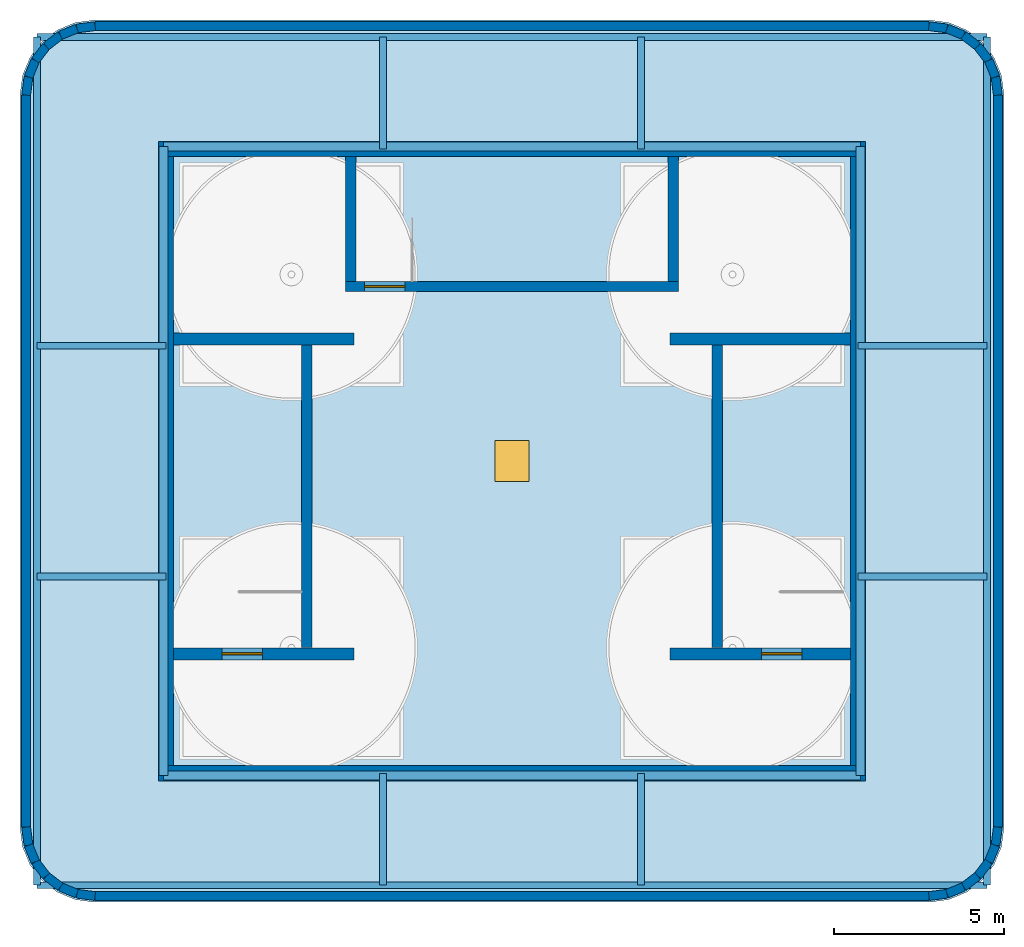
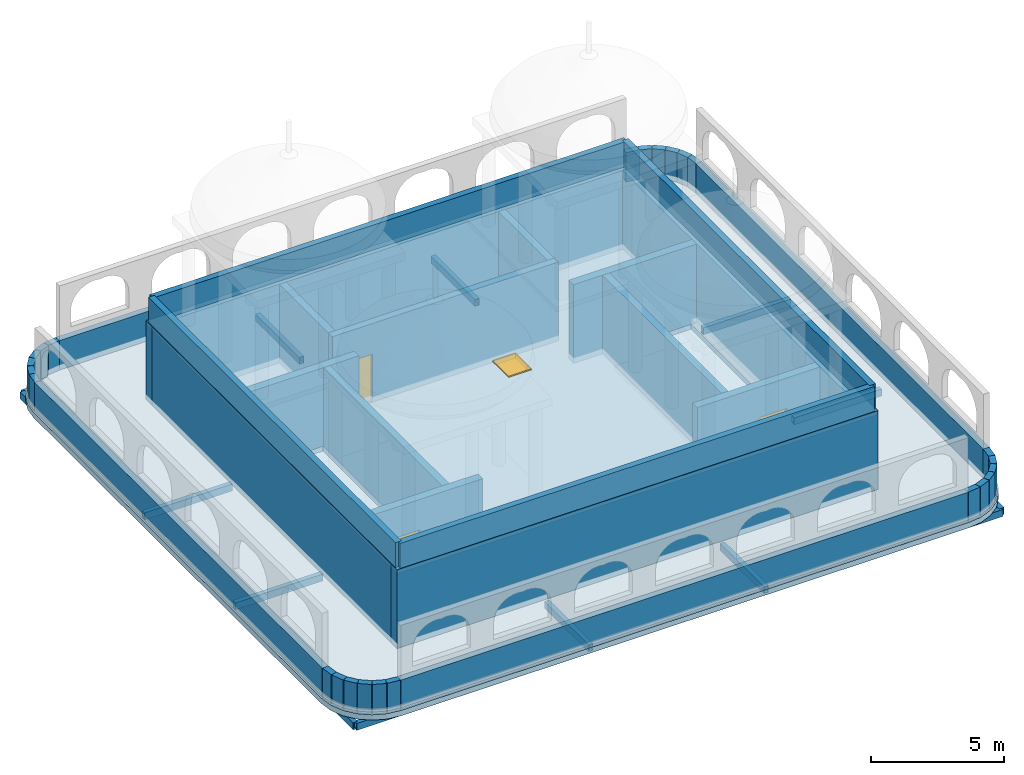
# One storey, part 1 of 3: 45 walls, 12 beams, 4 doors, 2 slabs, 4 openings.
"""IFC4 building model written with IfcOpenShell, lengths in metres."""

from ifc_helpers import new_model, si_unit, direction, frame, frame_2d, origin, origin_2d, place, context, subcontext, project, spatial, polyline, rectangle, hollow_rectangle, outline, extrude, material, layer, layer_set, material_profile, profile_set, type_object, element, fill, save


model = new_model("IFC4")

# Units and contexts
model_context = context("Model", 3, precision=1e-05, world=origin(), true_north=direction((0.0, 1.0)))
body_context = subcontext(model_context, "Body", "Model", "MODEL_VIEW")
ifc_project = project(units=[si_unit("LENGTHUNIT", "METRE"), si_unit("AREAUNIT", "SQUARE_METRE"), si_unit("VOLUMEUNIT", "CUBIC_METRE"), si_unit("PLANEANGLEUNIT", "RADIAN"), si_unit("MASSUNIT", "GRAM", prefix="KILO")], contexts=[model_context])

# Site, building, storey
site_placement = place(None, origin())
site = spatial("IfcSite", under=ifc_project, at=site_placement, CompositionType="ELEMENT")
building_placement = place(site_placement, origin())
building = spatial("IfcBuilding", under=site, at=building_placement, Name="Punatoya Terracotta Tower", CompositionType="ELEMENT")
storey_placement = place(building_placement, frame((0.0, 0.0, 370.800048828125)))
storey = spatial("IfcBuildingStorey", under=building, at=storey_placement, Name="RF", CompositionType="ELEMENT", Elevation=370.800048828125)

# Beams
ifc_material_1 = material(Name="Steel S355", Category="steel")
ifc_material_profile = material_profile(ifc_material_1, hollow_rectangle(XDim=0.199951171875, YDim=0.320068359375, WallThickness=0.01611328125, at=origin_2d()))
ifc_profile_set = profile_set([ifc_material_profile], Name="Steel S355")
beam_type = type_object("IfcBeamType", Name="BM-CRN-320", PredefinedType="BEAM", material=ifc_profile_set)
for number, where, z_axis, x_axis, name in (
    (1, (-3.800048828125, -12.5, -0.41015625), (0.0, 1.0, 0.0), (-1.0, 0.0, 0.0), "BM-RF-CS1"),
    (2, (3.800048828125, -12.5, -0.41015625), (0.0, 1.0, 0.0), (-1.0, 0.0, 0.0), "BM-RF-CS2"),
    (3, (-3.800048828125, 9.199951171875, -0.41015625), (0.0, 1.0, 0.0), (-1.0, 0.0, 0.0), "BM-RF-CN1"),
    (4, (3.800048828125, 9.199951171875, -0.41015625), (0.0, 1.0, 0.0), (-1.0, 0.0, 0.0), "BM-RF-CN2"),
):
    element("IfcBeam", number, at=place(storey_placement, frame(where, z_axis=z_axis, x_axis=x_axis)), inside=storey, type_object=beam_type, Name=name, PredefinedType="BEAM", context=body_context, shape_type="SweptSolid", body=[
        extrude(hollow_rectangle(XDim=0.199951171875, YDim=0.320068359375, WallThickness=0.01611328125, at=origin_2d()), origin(), (0.0, 0.0, 1.0), 3.300048828125),
    ])
for number, where, z_axis, x_axis, name in (
    (5, (-14.0, -3.39990234375, -0.41015625), (1.0, 0.0, 0.0), (0.0, 1.0, 0.0), "BM-RF-CW1"),
    (6, (-14.0, 3.39990234375, -0.41015625), (1.0, 0.0, 0.0), (0.0, 1.0, 0.0), "BM-RF-CW2"),
    (7, (10.199951171875, -3.39990234375, -0.41015625), (1.0, 0.0, 0.0), (0.0, 1.0, 0.0), "BM-RF-CE1"),
    (8, (10.199951171875, 3.39990234375, -0.41015625), (1.0, 0.0, 0.0), (0.0, 1.0, 0.0), "BM-RF-CE2"),
):
    element("IfcBeam", number, at=place(storey_placement, frame(where, z_axis=z_axis, x_axis=x_axis)), inside=storey, type_object=beam_type, Name=name, PredefinedType="BEAM", context=body_context, shape_type="SweptSolid", body=[
        extrude(hollow_rectangle(XDim=0.199951171875, YDim=0.320068359375, WallThickness=0.01611328125, at=origin_2d()), origin(), (0.0, 0.0, 1.0), 3.800048828125),
    ])
for number, where, z_axis, x_axis, name in (
    (9, (-14.0, -12.5, -0.41015625), (1.0, 0.0, 0.0), (0.0, 1.0, 0.0), "BM-RF-RS"),
    (10, (-14.0, 12.5, -0.41015625), (1.0, 0.0, 0.0), (0.0, 1.0, 0.0), "BM-RF-RN"),
):
    element("IfcBeam", number, at=place(storey_placement, frame(where, z_axis=z_axis, x_axis=x_axis)), inside=storey, type_object=beam_type, Name=name, PredefinedType="BEAM", context=body_context, shape_type="SweptSolid", body=[
        extrude(hollow_rectangle(XDim=0.199951171875, YDim=0.320068359375, WallThickness=0.01611328125, at=origin_2d()), origin(), (0.0, 0.0, 1.0), 28.0),
    ])
for number, where, z_axis, x_axis, name in (
    (11, (-14.0, -12.5, -0.41015625), (0.0, 1.0, 0.0), (-1.0, 0.0, 0.0), "BM-RF-RW"),
    (12, (14.0, -12.5, -0.41015625), (0.0, 1.0, 0.0), (-1.0, 0.0, 0.0), "BM-RF-RE"),
):
    element("IfcBeam", number, at=place(storey_placement, frame(where, z_axis=z_axis, x_axis=x_axis)), inside=storey, type_object=beam_type, Name=name, PredefinedType="BEAM", context=body_context, shape_type="SweptSolid", body=[
        extrude(hollow_rectangle(XDim=0.199951171875, YDim=0.320068359375, WallThickness=0.01611328125, at=origin_2d()), origin(), (0.0, 0.0, 1.0), 25.0),
    ])

# Slab, opening, door
ifc_material_2 = material(Name="Concrete C40/50", Category="concrete")
ifc_layer_1 = layer(ifc_material_2, 0.199951171875)
ifc_layer_set_1 = layer_set([ifc_layer_1], Name="Concrete C40/50")
slab_type_1 = type_object("IfcSlabType", Name="SLB-OFF-200", PredefinedType="FLOOR", material=ifc_layer_set_1)
slab_1_placement = place(storey_placement, frame((0.0, 0.0, 3.39990234375)))
slab_1 = element("IfcSlab", 13, at=slab_1_placement, inside=storey, type_object=slab_type_1, Name="RF Lift and Stair Overrun Bulkhead Cap Slab", PredefinedType="FLOOR", context=body_context, shape_type="SweptSolid", body=[
    extrude(outline(polyline([(-10.39990234375, 9.39990234375), (-10.39990234375, -9.39990234375), (10.39990234375, -9.39990234375), (10.39990234375, 9.39990234375), (-10.39990234375, 9.39990234375)]), holes=[polyline([(0.5, 0.60009765625), (0.5, -0.60009765625), (-0.5, -0.60009765625), (-0.5, 0.60009765625), (0.5, 0.60009765625)])]), origin(), (0.0, 0.0, 1.0), 0.199951171875),
])
opening_1_placement = place(slab_1_placement, origin())
opening_1 = element("IfcOpeningElement", 14, at=opening_1_placement, cuts=slab_1, Name="Opening RHT-1", PredefinedType="OPENING", context=body_context, shape_type="SweptSolid", body=[
    extrude(rectangle(XDim=1.0, YDim=1.199951171875, at=origin_2d()), frame((0.0, 0.0, -0.010009765625)), (0.0, 0.0, 1.0), 0.27001953125),
])
ifc_material_3 = material(Name="Insulated Aluminium Roof Hatch", Category="aluminium")
door_type_1 = type_object("IfcDoorType", Name="DR-HTCH-1000", OperationType="NOTDEFINED", PredefinedType="TRAPDOOR", material=ifc_material_3)
door_1_placement = place(opening_1_placement, frame((0.0, 0.0, 0.199951171875)))
door_1 = element("IfcDoor", 15, at=door_1_placement, inside=storey, type_object=door_type_1, Name="RF Headhouse Maintenance Roof Access Hatch", OperationType="SINGLE_SWING_LEFT", OverallHeight=1.199951171875, OverallWidth=1.0, PredefinedType="TRAPDOOR", context=body_context, shape_type="SweptSolid", body=[
    extrude(rectangle(XDim=1.0, YDim=1.199951171875, at=origin_2d()), origin(), (0.0, 0.0, 1.0), 0.050048828125),
])
fill(opening_1, door_1)

# Slab
ifc_layer_2 = layer(ifc_material_2, 0.25)
ifc_layer_set_2 = layer_set([ifc_layer_2], Name="Concrete C40/50")
slab_type_2 = type_object("IfcSlabType", Name="SLB-ROF-250", PredefinedType="ROOF", material=ifc_layer_set_2)
slab_2_placement = place(storey_placement, frame((0.0, 0.0, -0.25)))
element("IfcSlab", 16, at=slab_2_placement, inside=storey, type_object=slab_type_2, Name="RF Enclosed Baradari Crown Main Roof Slab", PredefinedType="ROOF", context=body_context, shape_type="SweptSolid", body=[
    extrude(outline(polyline([(-12.300048828125, -13.0), (-12.869384765625, -12.925048828125), (-13.39990234375, -12.705322265625), (-13.855712890625, -12.355712890625), (-14.205322265625, -11.89990234375), (-14.425048828125, -11.369384765625), (-14.5, -10.800048828125), (-14.5, 10.800048828125), (-14.425048828125, 11.369384765625), (-14.205322265625, 11.89990234375), (-13.855712890625, 12.355712890625), (-13.39990234375, 12.705322265625), (-12.869384765625, 12.925048828125), (-12.300048828125, 13.0), (12.300048828125, 13.0), (12.869384765625, 12.925048828125), (13.39990234375, 12.705322265625), (13.855712890625, 12.355712890625), (14.205322265625, 11.89990234375), (14.425048828125, 11.369384765625), (14.5, 10.800048828125), (14.5, -10.800048828125), (14.425048828125, -11.369384765625), (14.205322265625, -11.89990234375), (13.855712890625, -12.355712890625), (13.39990234375, -12.705322265625), (12.869384765625, -12.925048828125), (12.300048828125, -13.0), (-12.300048828125, -13.0)]), holes=[polyline([(-4.469970703125, -6.179931640625), (-4.469970703125, -8.820068359375), (-2.6298828125, -8.820068359375), (-2.6298828125, -6.179931640625), (-4.469970703125, -6.179931640625)]), polyline([(2.6298828125, -6.179931640625), (2.6298828125, -8.820068359375), (4.469970703125, -8.820068359375), (4.469970703125, -6.179931640625), (2.6298828125, -6.179931640625)]), polyline([(-9.75, -3.79931640625), (-6.199951171875, -3.79931640625), (-6.199951171875, 3.449951171875), (-9.75, 3.449951171875), (-9.75, -3.79931640625)]), polyline([(6.199951171875, 3.449951171875), (6.199951171875, -3.79931640625), (9.75, -3.79931640625), (9.75, 3.449951171875), (6.199951171875, 3.449951171875)]), polyline([(4.60009765625, 8.85009765625), (-2.899169921875, 8.85009765625), (-2.899169921875, 5.300048828125), (4.60009765625, 5.300048828125), (4.60009765625, 8.85009765625)])]), origin(), (0.0, 0.0, 1.0), 0.25),
])

# Walls
ifc_material_4 = material(Name="Concrete C50/60", Category="concrete")
ifc_layer_3 = layer(ifc_material_4, 0.449951171875)
ifc_layer_set_3 = layer_set([ifc_layer_3], Name="Concrete C50/60")
wall_type_1 = type_object("IfcWallType", Name="WL-COR-450", PredefinedType="SHEAR", material=ifc_layer_set_3)
wall_1_placement = place(storey_placement, frame((10.425048828125, -9.199951171875, 0.0), z_axis=(0.0, 0.0, 1.0), x_axis=(-1.0, 0.0, 0.0)))
element("IfcWall", 17, at=wall_1_placement, inside=storey, type_object=wall_type_1, Name="RF Core Shear Wall S", PredefinedType="SHEAR", context=body_context, shape_type="SweptSolid", body=[
    extrude(rectangle(XDim=20.85009765625, YDim=0.449951171875, at=frame_2d((10.425048828125, 0.0))), origin(), (0.0, 0.0, 1.0), 3.599853515625),
])
wall_2_placement = place(storey_placement, frame((-10.199951171875, -8.97509765625, 0.0), z_axis=(0.0, 0.0, 1.0), x_axis=(0.0, 1.0, 0.0)))
element("IfcWall", 18, at=wall_2_placement, inside=storey, type_object=wall_type_1, Name="RF Core Shear Wall W", PredefinedType="SHEAR", context=body_context, shape_type="SweptSolid", body=[
    extrude(rectangle(XDim=17.9501953125, YDim=0.449951171875, at=frame_2d((8.97509765625, 0.0))), origin(), (0.0, 0.0, 1.0), 3.599853515625),
])
wall_3_placement = place(storey_placement, frame((-10.425048828125, 9.199951171875, 0.0), z_axis=(0.0, 0.0, 1.0), x_axis=(1.0, 0.0, 0.0)))
element("IfcWall", 19, at=wall_3_placement, inside=storey, type_object=wall_type_1, Name="RF Core Shear Wall N", PredefinedType="SHEAR", context=body_context, shape_type="SweptSolid", body=[
    extrude(rectangle(XDim=20.85009765625, YDim=0.449951171875, at=frame_2d((10.425048828125, 0.0))), origin(), (0.0, 0.0, 1.0), 3.599853515625),
])
wall_4_placement = place(storey_placement, frame((10.199951171875, 8.97509765625, 0.0), z_axis=(0.0, 0.0, 1.0), x_axis=(0.0, -1.0, 0.0)))
element("IfcWall", 20, at=wall_4_placement, inside=storey, type_object=wall_type_1, Name="RF Core Shear Wall E", PredefinedType="SHEAR", context=body_context, shape_type="SweptSolid", body=[
    extrude(rectangle(XDim=17.9501953125, YDim=0.449951171875, at=frame_2d((8.97509765625, 0.0))), origin(), (0.0, 0.0, 1.0), 3.599853515625),
])
ifc_material_5 = material(Name="Precast concrete C40/50", Category="concrete")
ifc_layer_4 = layer(ifc_material_5, 0.260009765625)
ifc_layer_set_4 = layer_set([ifc_layer_4], Name="Precast concrete C40/50")
wall_type_2 = type_object("IfcWallType", Name="WL-PAR-260", PredefinedType="PARAPET", material=ifc_layer_set_4)
wall_5_placement = place(storey_placement, frame((12.2880859375, -12.820068359375, 0.0), z_axis=(0.0, 0.0, 1.0), x_axis=(0.991397164416, 0.130887976481, 0.0)))
element("IfcWall", 21, at=wall_5_placement, inside=storey, type_object=wall_type_2, Name="RF Roof Parapet Wall PAR-RF-MAIN-01", PredefinedType="PARAPET", context=body_context, shape_type="SweptSolid", body=[
    extrude(rectangle(XDim=0.5390625, YDim=0.260009765625, at=frame_2d((0.26953125, 0.0))), origin(), (0.0, 0.0, 1.0), 1.349853515625),
])
wall_6_placement = place(storey_placement, frame((12.822509765625, -12.74951171875, 0.0), z_axis=(0.0, 0.0, 1.0), x_axis=(0.923965992371, 0.382474633069, 0.0)))
element("IfcWall", 22, at=wall_6_placement, inside=storey, type_object=wall_type_2, Name="RF Roof Parapet Wall PAR-RF-MAIN-02", PredefinedType="PARAPET", context=body_context, shape_type="SweptSolid", body=[
    extrude(rectangle(XDim=0.526611328125, YDim=0.260009765625, at=frame_2d((0.26318359375, 0.0))), origin(), (0.0, 0.0, 1.0), 1.349853515625),
])
for number, where, z_axis, x_axis, name in (
    (23, (13.30908203125, -12.548095703125, 0.0), (0.0, 0.0, 1.0), (0.7934497764, 0.608635730409, 0.0), "RF Roof Parapet Wall PAR-RF-MAIN-03"),
    (24, (13.727294921875, -12.227294921875, 0.0), (0.0, 0.0, 1.0), (0.608635730409, 0.7934497764, 0.0), "RF Roof Parapet Wall PAR-RF-MAIN-04"),
):
    element("IfcWall", number, at=place(storey_placement, frame(where, z_axis=z_axis, x_axis=x_axis)), inside=storey, type_object=wall_type_2, Name=name, PredefinedType="PARAPET", context=body_context, shape_type="SweptSolid", body=[
        extrude(rectangle(XDim=0.527099609375, YDim=0.260009765625, at=frame_2d((0.263671875, 0.0))), origin(), (0.0, 0.0, 1.0), 1.349853515625),
    ])
wall_7_placement = place(storey_placement, frame((14.048095703125, -11.80908203125, 0.0), z_axis=(0.0, 0.0, 1.0), x_axis=(0.382474633069, 0.923965992371, 0.0)))
element("IfcWall", 25, at=wall_7_placement, inside=storey, type_object=wall_type_2, Name="RF Roof Parapet Wall PAR-RF-MAIN-05", PredefinedType="PARAPET", context=body_context, shape_type="SweptSolid", body=[
    extrude(rectangle(XDim=0.526611328125, YDim=0.260009765625, at=frame_2d((0.26318359375, 0.0))), origin(), (0.0, 0.0, 1.0), 1.349853515625),
])
wall_8_placement = place(storey_placement, frame((14.24951171875, -11.322509765625, 0.0), z_axis=(0.0, 0.0, 1.0), x_axis=(0.130887976481, 0.991397164416, 0.0)))
element("IfcWall", 26, at=wall_8_placement, inside=storey, type_object=wall_type_2, Name="RF Roof Parapet Wall PAR-RF-MAIN-06", PredefinedType="PARAPET", context=body_context, shape_type="SweptSolid", body=[
    extrude(rectangle(XDim=0.5390625, YDim=0.260009765625, at=frame_2d((0.26953125, 0.0))), origin(), (0.0, 0.0, 1.0), 1.349853515625),
])
wall_9_placement = place(storey_placement, frame((14.320068359375, -10.7880859375, 0.0), z_axis=(0.0, 0.0, 1.0), x_axis=(0.0, 1.0, 0.0)))
element("IfcWall", 27, at=wall_9_placement, inside=storey, type_object=wall_type_2, Name="RF Roof Parapet Wall PAR-RF-MAIN-07", PredefinedType="PARAPET", context=body_context, shape_type="SweptSolid", body=[
    extrude(rectangle(XDim=21.576171875, YDim=0.260009765625, at=frame_2d((10.7880859375, 0.0))), origin(), (0.0, 0.0, 1.0), 1.349853515625),
])
wall_10_placement = place(storey_placement, frame((14.320068359375, 10.7880859375, 0.0), z_axis=(0.0, 0.0, 1.0), x_axis=(-0.130887976481, 0.991397164416, 0.0)))
element("IfcWall", 28, at=wall_10_placement, inside=storey, type_object=wall_type_2, Name="RF Roof Parapet Wall PAR-RF-MAIN-08", PredefinedType="PARAPET", context=body_context, shape_type="SweptSolid", body=[
    extrude(rectangle(XDim=0.5390625, YDim=0.260009765625, at=frame_2d((0.26953125, 0.0))), origin(), (0.0, 0.0, 1.0), 1.349853515625),
])
wall_11_placement = place(storey_placement, frame((14.24951171875, 11.322509765625, 0.0), z_axis=(0.0, 0.0, 1.0), x_axis=(-0.382474633069, 0.923965992371, 0.0)))
element("IfcWall", 29, at=wall_11_placement, inside=storey, type_object=wall_type_2, Name="RF Roof Parapet Wall PAR-RF-MAIN-09", PredefinedType="PARAPET", context=body_context, shape_type="SweptSolid", body=[
    extrude(rectangle(XDim=0.526611328125, YDim=0.260009765625, at=frame_2d((0.26318359375, 0.0))), origin(), (0.0, 0.0, 1.0), 1.349853515625),
])
for number, where, z_axis, x_axis, name in (
    (30, (14.048095703125, 11.80908203125, 0.0), (0.0, 0.0, 1.0), (-0.608635730409, 0.7934497764, 0.0), "RF Roof Parapet Wall PAR-RF-MAIN-10"),
    (31, (13.727294921875, 12.227294921875, 0.0), (0.0, 0.0, 1.0), (-0.7934497764, 0.608635730409, 0.0), "RF Roof Parapet Wall PAR-RF-MAIN-11"),
):
    element("IfcWall", number, at=place(storey_placement, frame(where, z_axis=z_axis, x_axis=x_axis)), inside=storey, type_object=wall_type_2, Name=name, PredefinedType="PARAPET", context=body_context, shape_type="SweptSolid", body=[
        extrude(rectangle(XDim=0.527099609375, YDim=0.260009765625, at=frame_2d((0.263671875, 0.0))), origin(), (0.0, 0.0, 1.0), 1.349853515625),
    ])
wall_12_placement = place(storey_placement, frame((13.30908203125, 12.548095703125, 0.0), z_axis=(0.0, 0.0, 1.0), x_axis=(-0.923965992371, 0.382474633069, 0.0)))
element("IfcWall", 32, at=wall_12_placement, inside=storey, type_object=wall_type_2, Name="RF Roof Parapet Wall PAR-RF-MAIN-12", PredefinedType="PARAPET", context=body_context, shape_type="SweptSolid", body=[
    extrude(rectangle(XDim=0.526611328125, YDim=0.260009765625, at=frame_2d((0.26318359375, 0.0))), origin(), (0.0, 0.0, 1.0), 1.349853515625),
])
wall_13_placement = place(storey_placement, frame((12.822509765625, 12.74951171875, 0.0), z_axis=(0.0, 0.0, 1.0), x_axis=(-0.991397164416, 0.130887976481, 0.0)))
element("IfcWall", 33, at=wall_13_placement, inside=storey, type_object=wall_type_2, Name="RF Roof Parapet Wall PAR-RF-MAIN-13", PredefinedType="PARAPET", context=body_context, shape_type="SweptSolid", body=[
    extrude(rectangle(XDim=0.5390625, YDim=0.260009765625, at=frame_2d((0.26953125, 0.0))), origin(), (0.0, 0.0, 1.0), 1.349853515625),
])
wall_14_placement = place(storey_placement, frame((12.2880859375, 12.820068359375, 0.0), z_axis=(0.0, 0.0, 1.0), x_axis=(-1.0, 0.0, 0.0)))
element("IfcWall", 34, at=wall_14_placement, inside=storey, type_object=wall_type_2, Name="RF Roof Parapet Wall PAR-RF-MAIN-14", PredefinedType="PARAPET", context=body_context, shape_type="SweptSolid", body=[
    extrude(rectangle(XDim=24.576171875, YDim=0.260009765625, at=frame_2d((12.2880859375, 0.0))), origin(), (0.0, 0.0, 1.0), 1.349853515625),
])
wall_15_placement = place(storey_placement, frame((-12.2880859375, 12.820068359375, 0.0), z_axis=(0.0, 0.0, 1.0), x_axis=(-0.991397164416, -0.130887976481, 0.0)))
element("IfcWall", 35, at=wall_15_placement, inside=storey, type_object=wall_type_2, Name="RF Roof Parapet Wall PAR-RF-MAIN-15", PredefinedType="PARAPET", context=body_context, shape_type="SweptSolid", body=[
    extrude(rectangle(XDim=0.5390625, YDim=0.260009765625, at=frame_2d((0.26953125, 0.0))), origin(), (0.0, 0.0, 1.0), 1.349853515625),
])
wall_16_placement = place(storey_placement, frame((-12.822509765625, 12.74951171875, 0.0), z_axis=(0.0, 0.0, 1.0), x_axis=(-0.923965992371, -0.382474633069, 0.0)))
element("IfcWall", 36, at=wall_16_placement, inside=storey, type_object=wall_type_2, Name="RF Roof Parapet Wall PAR-RF-MAIN-16", PredefinedType="PARAPET", context=body_context, shape_type="SweptSolid", body=[
    extrude(rectangle(XDim=0.526611328125, YDim=0.260009765625, at=frame_2d((0.26318359375, 0.0))), origin(), (0.0, 0.0, 1.0), 1.349853515625),
])
for number, where, z_axis, x_axis, name in (
    (37, (-13.30908203125, 12.548095703125, 0.0), (0.0, 0.0, 1.0), (-0.7934497764, -0.608635730409, 0.0), "RF Roof Parapet Wall PAR-RF-MAIN-17"),
    (38, (-13.727294921875, 12.227294921875, 0.0), (0.0, 0.0, 1.0), (-0.608635730409, -0.7934497764, 0.0), "RF Roof Parapet Wall PAR-RF-MAIN-18"),
):
    element("IfcWall", number, at=place(storey_placement, frame(where, z_axis=z_axis, x_axis=x_axis)), inside=storey, type_object=wall_type_2, Name=name, PredefinedType="PARAPET", context=body_context, shape_type="SweptSolid", body=[
        extrude(rectangle(XDim=0.527099609375, YDim=0.260009765625, at=frame_2d((0.263671875, 0.0))), origin(), (0.0, 0.0, 1.0), 1.349853515625),
    ])
wall_17_placement = place(storey_placement, frame((-14.048095703125, 11.80908203125, 0.0), z_axis=(0.0, 0.0, 1.0), x_axis=(-0.382474633069, -0.923965992371, 0.0)))
element("IfcWall", 39, at=wall_17_placement, inside=storey, type_object=wall_type_2, Name="RF Roof Parapet Wall PAR-RF-MAIN-19", PredefinedType="PARAPET", context=body_context, shape_type="SweptSolid", body=[
    extrude(rectangle(XDim=0.526611328125, YDim=0.260009765625, at=frame_2d((0.26318359375, 0.0))), origin(), (0.0, 0.0, 1.0), 1.349853515625),
])
wall_18_placement = place(storey_placement, frame((-14.24951171875, 11.322509765625, 0.0), z_axis=(0.0, 0.0, 1.0), x_axis=(-0.130887976481, -0.991397164416, 0.0)))
element("IfcWall", 40, at=wall_18_placement, inside=storey, type_object=wall_type_2, Name="RF Roof Parapet Wall PAR-RF-MAIN-20", PredefinedType="PARAPET", context=body_context, shape_type="SweptSolid", body=[
    extrude(rectangle(XDim=0.5390625, YDim=0.260009765625, at=frame_2d((0.26953125, 0.0))), origin(), (0.0, 0.0, 1.0), 1.349853515625),
])
wall_19_placement = place(storey_placement, frame((-14.320068359375, 10.7880859375, 0.0), z_axis=(0.0, 0.0, 1.0), x_axis=(0.0, -1.0, 0.0)))
element("IfcWall", 41, at=wall_19_placement, inside=storey, type_object=wall_type_2, Name="RF Roof Parapet Wall PAR-RF-MAIN-21", PredefinedType="PARAPET", context=body_context, shape_type="SweptSolid", body=[
    extrude(rectangle(XDim=21.576171875, YDim=0.260009765625, at=frame_2d((10.7880859375, 0.0))), origin(), (0.0, 0.0, 1.0), 1.349853515625),
])
wall_20_placement = place(storey_placement, frame((-14.320068359375, -10.7880859375, 0.0), z_axis=(0.0, 0.0, 1.0), x_axis=(0.130887976481, -0.991397164416, 0.0)))
element("IfcWall", 42, at=wall_20_placement, inside=storey, type_object=wall_type_2, Name="RF Roof Parapet Wall PAR-RF-MAIN-22", PredefinedType="PARAPET", context=body_context, shape_type="SweptSolid", body=[
    extrude(rectangle(XDim=0.5390625, YDim=0.260009765625, at=frame_2d((0.26953125, 0.0))), origin(), (0.0, 0.0, 1.0), 1.349853515625),
])
wall_21_placement = place(storey_placement, frame((-14.24951171875, -11.322509765625, 0.0), z_axis=(0.0, 0.0, 1.0), x_axis=(0.382474633069, -0.923965992371, 0.0)))
element("IfcWall", 43, at=wall_21_placement, inside=storey, type_object=wall_type_2, Name="RF Roof Parapet Wall PAR-RF-MAIN-23", PredefinedType="PARAPET", context=body_context, shape_type="SweptSolid", body=[
    extrude(rectangle(XDim=0.526611328125, YDim=0.260009765625, at=frame_2d((0.26318359375, 0.0))), origin(), (0.0, 0.0, 1.0), 1.349853515625),
])
for number, where, z_axis, x_axis, name in (
    (44, (-14.048095703125, -11.80908203125, 0.0), (0.0, 0.0, 1.0), (0.608635730409, -0.7934497764, 0.0), "RF Roof Parapet Wall PAR-RF-MAIN-24"),
    (45, (-13.727294921875, -12.227294921875, 0.0), (0.0, 0.0, 1.0), (0.7934497764, -0.608635730409, 0.0), "RF Roof Parapet Wall PAR-RF-MAIN-25"),
):
    element("IfcWall", number, at=place(storey_placement, frame(where, z_axis=z_axis, x_axis=x_axis)), inside=storey, type_object=wall_type_2, Name=name, PredefinedType="PARAPET", context=body_context, shape_type="SweptSolid", body=[
        extrude(rectangle(XDim=0.527099609375, YDim=0.260009765625, at=frame_2d((0.263671875, 0.0))), origin(), (0.0, 0.0, 1.0), 1.349853515625),
    ])
wall_22_placement = place(storey_placement, frame((-13.30908203125, -12.548095703125, 0.0), z_axis=(0.0, 0.0, 1.0), x_axis=(0.923965992371, -0.382474633069, 0.0)))
element("IfcWall", 46, at=wall_22_placement, inside=storey, type_object=wall_type_2, Name="RF Roof Parapet Wall PAR-RF-MAIN-26", PredefinedType="PARAPET", context=body_context, shape_type="SweptSolid", body=[
    extrude(rectangle(XDim=0.526611328125, YDim=0.260009765625, at=frame_2d((0.26318359375, 0.0))), origin(), (0.0, 0.0, 1.0), 1.349853515625),
])
wall_23_placement = place(storey_placement, frame((-12.822509765625, -12.74951171875, 0.0), z_axis=(0.0, 0.0, 1.0), x_axis=(0.991397164416, -0.130887976481, 0.0)))
element("IfcWall", 47, at=wall_23_placement, inside=storey, type_object=wall_type_2, Name="RF Roof Parapet Wall PAR-RF-MAIN-27", PredefinedType="PARAPET", context=body_context, shape_type="SweptSolid", body=[
    extrude(rectangle(XDim=0.5390625, YDim=0.260009765625, at=frame_2d((0.26953125, 0.0))), origin(), (0.0, 0.0, 1.0), 1.349853515625),
])
wall_24_placement = place(storey_placement, frame((-12.2880859375, -12.820068359375, 0.0), z_axis=(0.0, 0.0, 1.0), x_axis=(1.0, 0.0, 0.0)))
element("IfcWall", 48, at=wall_24_placement, inside=storey, type_object=wall_type_2, Name="RF Roof Parapet Wall PAR-RF-MAIN-28", PredefinedType="PARAPET", context=body_context, shape_type="SweptSolid", body=[
    extrude(rectangle(XDim=24.576171875, YDim=0.260009765625, at=frame_2d((12.2880859375, 0.0))), origin(), (0.0, 0.0, 1.0), 1.349853515625),
])
wall_25_placement = place(storey_placement, frame((-10.27001953125, -9.27001953125, 3.599853515625), z_axis=(0.0, 0.0, 1.0), x_axis=(1.0, 0.0, 0.0)))
element("IfcWall", 49, at=wall_25_placement, inside=storey, type_object=wall_type_2, Name="RF Roof Parapet Wall PAR-RF-OVR-01", PredefinedType="PARAPET", context=body_context, shape_type="SweptSolid", body=[
    extrude(rectangle(XDim=20.5400390625, YDim=0.260009765625, at=frame_2d((10.27001953125, 0.0))), origin(), (0.0, 0.0, 1.0), 1.150146484375),
])
wall_26_placement = place(storey_placement, frame((10.27001953125, -9.27001953125, 3.599853515625), z_axis=(0.0, 0.0, 1.0), x_axis=(0.0, 1.0, 0.0)))
element("IfcWall", 50, at=wall_26_placement, inside=storey, type_object=wall_type_2, Name="RF Roof Parapet Wall PAR-RF-OVR-02", PredefinedType="PARAPET", context=body_context, shape_type="SweptSolid", body=[
    extrude(rectangle(XDim=18.5400390625, YDim=0.260009765625, at=frame_2d((9.27001953125, 0.0))), origin(), (0.0, 0.0, 1.0), 1.150146484375),
])
wall_27_placement = place(storey_placement, frame((10.27001953125, 9.27001953125, 3.599853515625), z_axis=(0.0, 0.0, 1.0), x_axis=(-1.0, 0.0, 0.0)))
element("IfcWall", 51, at=wall_27_placement, inside=storey, type_object=wall_type_2, Name="RF Roof Parapet Wall PAR-RF-OVR-03", PredefinedType="PARAPET", context=body_context, shape_type="SweptSolid", body=[
    extrude(rectangle(XDim=20.5400390625, YDim=0.260009765625, at=frame_2d((10.27001953125, 0.0))), origin(), (0.0, 0.0, 1.0), 1.150146484375),
])
wall_28_placement = place(storey_placement, frame((-10.27001953125, 9.27001953125, 3.599853515625), z_axis=(0.0, 0.0, 1.0), x_axis=(0.0, -1.0, 0.0)))
element("IfcWall", 52, at=wall_28_placement, inside=storey, type_object=wall_type_2, Name="RF Roof Parapet Wall PAR-RF-OVR-04", PredefinedType="PARAPET", context=body_context, shape_type="SweptSolid", body=[
    extrude(rectangle(XDim=18.5400390625, YDim=0.260009765625, at=frame_2d((9.27001953125, 0.0))), origin(), (0.0, 0.0, 1.0), 1.150146484375),
])
ifc_layer_5 = layer(ifc_material_2, 0.300048828125)
ifc_layer_set_5 = layer_set([ifc_layer_5], Name="Concrete C40/50")
wall_type_3 = type_object("IfcWallType", Name="WL-SHF-300", PredefinedType="SOLIDWALL", material=ifc_layer_set_5)
for number, where, z_axis, x_axis, name in (
    (53, (-6.050048828125, -5.5, 0.0), (0.0, 0.0, 1.0), (0.0, 1.0, 0.0), "RF Structural Stair Shaft Wall SW-ST1-E"),
    (54, (6.050048828125, 3.449951171875, 0.0), (0.0, 0.0, 1.0), (0.0, -1.0, 0.0), "RF Structural Stair Shaft Wall SW-ST2-W"),
):
    element("IfcWall", number, at=place(storey_placement, frame(where, z_axis=z_axis, x_axis=x_axis)), inside=storey, type_object=wall_type_3, Name=name, PredefinedType="SOLIDWALL", context=body_context, shape_type="SweptSolid", body=[
        extrude(rectangle(XDim=8.949951171875, YDim=0.300048828125, at=frame_2d((4.47509765625, 0.0))), origin(), (0.0, 0.0, 1.0), 3.599853515625),
    ])
for number, where, z_axis, x_axis, name in (
    (55, (-4.75, 5.300048828125, 0.0), (0.0, 0.0, 1.0), (0.0, 1.0, 0.0), "RF Structural Stair Shaft Wall SW-ST3-W"),
    (56, (4.75, 8.97509765625, 0.0), (0.0, 0.0, 1.0), (0.0, -1.0, 0.0), "RF Structural Stair Shaft Wall SW-ST3-E"),
):
    element("IfcWall", number, at=place(storey_placement, frame(where, z_axis=z_axis, x_axis=x_axis)), inside=storey, type_object=wall_type_3, Name=name, PredefinedType="SOLIDWALL", context=body_context, shape_type="SweptSolid", body=[
        extrude(rectangle(XDim=3.675048828125, YDim=0.300048828125, at=frame_2d((1.83740234375, 0.0))), origin(), (0.0, 0.0, 1.0), 3.599853515625),
    ])

# Wall, opening, door
wall_29_placement = place(storey_placement, frame((-4.89990234375, 5.14990234375, 0.0), z_axis=(0.0, 0.0, 1.0), x_axis=(1.0, 0.0, 0.0)))
wall_29 = element("IfcWall", 57, at=wall_29_placement, inside=storey, type_object=wall_type_3, Name="RF Structural Stair Shaft Wall SW-ST3-S", PredefinedType="SOLIDWALL", context=body_context, shape_type="SweptSolid", body=[
    extrude(rectangle(XDim=9.7998046875, YDim=0.300048828125, at=frame_2d((4.89990234375, 0.0))), origin(), (0.0, 0.0, 1.0), 3.599853515625),
])
opening_2_placement = place(wall_29_placement, frame((0.56005859375, 0.0, 0.0)))
opening_2 = element("IfcOpeningElement", 58, at=opening_2_placement, cuts=wall_29, Name="Opening SD-01", PredefinedType="OPENING", context=body_context, shape_type="SweptSolid", body=[
    extrude(rectangle(XDim=1.179931640625, YDim=2.199951171875, at=frame_2d((0.58984375, 1.10009765625))), frame((0.0, 0.159912109375, 0.0), z_axis=(0.0, -1.0, 0.0), x_axis=(1.0, 0.0, 0.0)), (0.0, 0.0, 1.0), 0.320068359375),
])
ifc_material_6 = material(Name="Galvanised Steel Pressurized Stair Fire Door", Category="steel")
door_type_2 = type_object("IfcDoorType", Name="DR-STR-1180", OperationType="NOTDEFINED", PredefinedType="DOOR", material=ifc_material_6)
door_2_placement = place(opening_2_placement, origin())
door_2 = element("IfcDoor", 59, at=door_2_placement, inside=storey, type_object=door_type_2, Name="RF Stair ST-3 Core Lobby Fire Door", OperationType="SINGLE_SWING_LEFT", OverallHeight=2.199951171875, OverallWidth=1.179931640625, PredefinedType="DOOR", context=body_context, shape_type="SweptSolid", body=[
    extrude(rectangle(XDim=1.179931640625, YDim=2.199951171875, at=frame_2d((0.58984375, 1.10009765625))), frame((0.0, 0.02490234375, 0.0), z_axis=(0.0, -1.0, 0.0), x_axis=(1.0, 0.0, 0.0)), (0.0, 0.0, 1.0), 0.050048828125),
])
fill(opening_2, door_2)

ifc_layer_6 = layer(ifc_material_4, 0.35009765625)
ifc_layer_set_6 = layer_set([ifc_layer_6], Name="Concrete C50/60")
wall_type_4 = type_object("IfcWallType", Name="WL-SHF-350", PredefinedType="SOLIDWALL", material=ifc_layer_set_6)
wall_30_placement = place(storey_placement, frame((-9.97509765625, -5.679931640625, 0.0), z_axis=(0.0, 0.0, 1.0), x_axis=(1.0, 0.0, 0.0)))
wall_30 = element("IfcWall", 60, at=wall_30_placement, inside=storey, type_object=wall_type_4, Name="RF Core Web Wall CSW-L", PredefinedType="SOLIDWALL", context=body_context, shape_type="SweptSolid", body=[
    extrude(rectangle(XDim=5.3251953125, YDim=0.35009765625, at=frame_2d((2.66259765625, 0.0))), origin(), (0.0, 0.0, 1.0), 3.599853515625),
])
opening_3_placement = place(wall_30_placement, frame((1.43505859375, 0.0, 0.0)))
opening_3 = element("IfcOpeningElement", 61, at=opening_3_placement, cuts=wall_30, Name="Opening SD-01", PredefinedType="OPENING", context=body_context, shape_type="SweptSolid", body=[
    extrude(rectangle(XDim=1.179931640625, YDim=2.199951171875, at=frame_2d((0.58984375, 1.10009765625))), frame((0.0, 0.18505859375, 0.0), z_axis=(0.0, -1.0, 0.0), x_axis=(1.0, 0.0, 0.0)), (0.0, 0.0, 1.0), 0.3701171875),
])
door_3_placement = place(opening_3_placement, origin())
door_3 = element("IfcDoor", 62, at=door_3_placement, inside=storey, type_object=door_type_2, Name="RF Stair ST-1 Smokeproof Lobby Fire Door", OperationType="SINGLE_SWING_LEFT", OverallHeight=2.199951171875, OverallWidth=1.179931640625, PredefinedType="DOOR", context=body_context, shape_type="SweptSolid", body=[
    extrude(rectangle(XDim=1.179931640625, YDim=2.199951171875, at=frame_2d((0.58984375, 1.10009765625))), frame((0.0, 0.02490234375, 0.0), z_axis=(0.0, -1.0, 0.0), x_axis=(1.0, 0.0, 0.0)), (0.0, 0.0, 1.0), 0.050048828125),
])
fill(opening_3, door_3)

wall_31_placement = place(storey_placement, frame((4.64990234375, -5.679931640625, 0.0), z_axis=(0.0, 0.0, 1.0), x_axis=(1.0, 0.0, 0.0)))
wall_31 = element("IfcWall", 63, at=wall_31_placement, inside=storey, type_object=wall_type_4, Name="RF Core Web Wall CSW-R", PredefinedType="SOLIDWALL", context=body_context, shape_type="SweptSolid", body=[
    extrude(rectangle(XDim=5.3251953125, YDim=0.35009765625, at=frame_2d((2.66259765625, 0.0))), origin(), (0.0, 0.0, 1.0), 3.599853515625),
])
opening_4_placement = place(wall_31_placement, frame((2.7099609375, 0.0, 0.0)))
opening_4 = element("IfcOpeningElement", 64, at=opening_4_placement, cuts=wall_31, Name="Opening SD-01", PredefinedType="OPENING", context=body_context, shape_type="SweptSolid", body=[
    extrude(rectangle(XDim=1.179931640625, YDim=2.199951171875, at=frame_2d((0.58984375, 1.10009765625))), frame((0.0, 0.18505859375, 0.0), z_axis=(0.0, -1.0, 0.0), x_axis=(1.0, 0.0, 0.0)), (0.0, 0.0, 1.0), 0.3701171875),
])
door_4_placement = place(opening_4_placement, origin())
door_4 = element("IfcDoor", 65, at=door_4_placement, inside=storey, type_object=door_type_2, Name="RF Stair ST-2 Smokeproof Lobby Fire Door", OperationType="SINGLE_SWING_RIGHT", OverallHeight=2.199951171875, OverallWidth=1.179931640625, PredefinedType="DOOR", context=body_context, shape_type="SweptSolid", body=[
    extrude(rectangle(XDim=1.179931640625, YDim=2.199951171875, at=frame_2d((0.58984375, 1.10009765625))), frame((0.0, 0.02490234375, 0.0), z_axis=(0.0, -1.0, 0.0), x_axis=(1.0, 0.0, 0.0)), (0.0, 0.0, 1.0), 0.050048828125),
])
fill(opening_4, door_4)

# Walls
for number, where, z_axis, x_axis, name in (
    (66, (-9.97509765625, 3.60009765625, 0.0), (0.0, 0.0, 1.0), (1.0, 0.0, 0.0), "RF Core Web Wall CNW-L"),
    (67, (4.64990234375, 3.60009765625, 0.0), (0.0, 0.0, 1.0), (1.0, 0.0, 0.0), "RF Core Web Wall CNW-R"),
):
    element("IfcWall", number, at=place(storey_placement, frame(where, z_axis=z_axis, x_axis=x_axis)), inside=storey, type_object=wall_type_4, Name=name, PredefinedType="SOLIDWALL", context=body_context, shape_type="SweptSolid", body=[
        extrude(rectangle(XDim=5.3251953125, YDim=0.35009765625, at=frame_2d((2.66259765625, 0.0))), origin(), (0.0, 0.0, 1.0), 3.599853515625),
    ])

save(model, "model.ifc")
